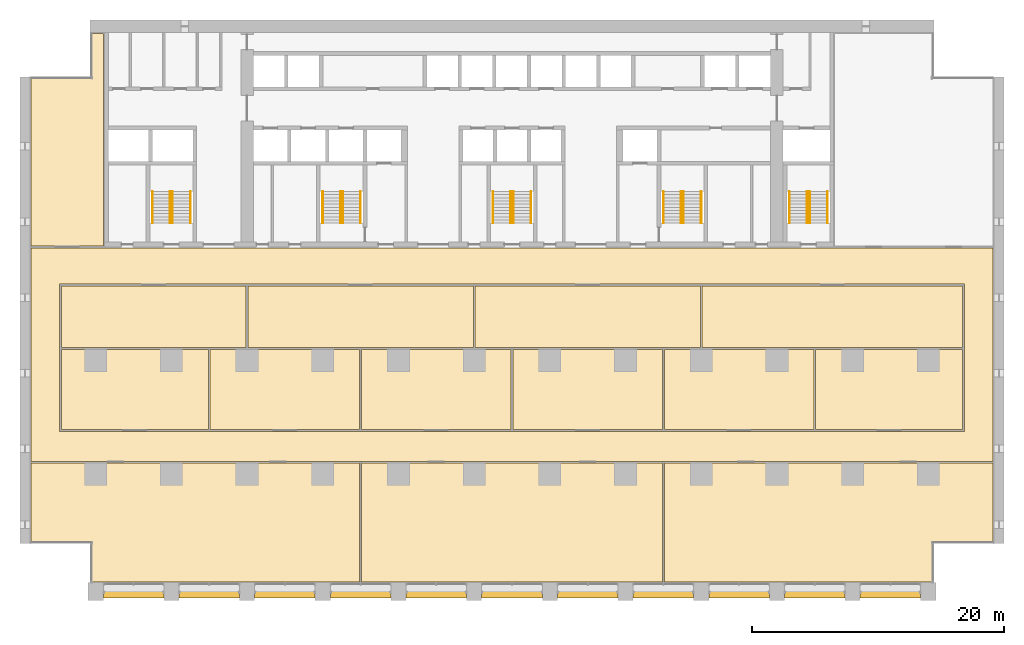
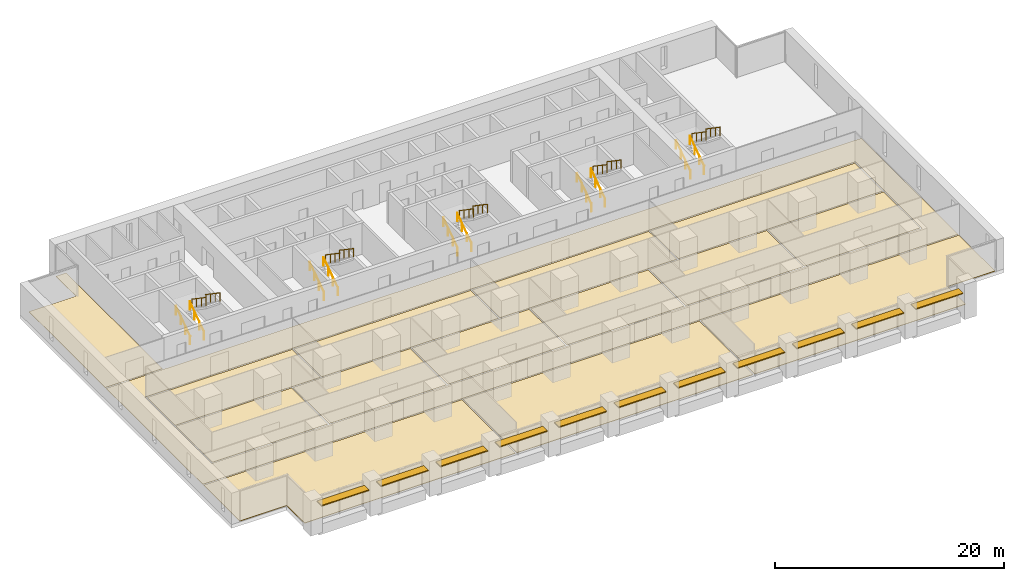
# One storey, part 17 of 18: 20 railings, 15 coverings, 11 shading devices, 5 elements without a shape of their own.
"""IFC4 building model written with IfcOpenShell, lengths in metres."""

from ifc_helpers import new_model, si_unit, direction, frame, origin, origin_2d, place, context, subcontext, project, spatial, polyline, rectangle, circle, outline, extrude, material, layer, layer_set, material_profile, profile_set, type_object, element, aggregate, save


model = new_model("IFC4")

# Units and contexts
model_context = context("Model", 3, precision=1e-05, world=origin(), true_north=direction((0.0, 1.0)))
body_context = subcontext(model_context, "Body", "Model", "MODEL_VIEW")
ifc_project = project(units=[si_unit("LENGTHUNIT", "METRE"), si_unit("AREAUNIT", "SQUARE_METRE"), si_unit("VOLUMEUNIT", "CUBIC_METRE"), si_unit("PLANEANGLEUNIT", "RADIAN"), si_unit("MASSUNIT", "GRAM", prefix="KILO")], contexts=[model_context])

# Site, building, storey
site_placement = place(None, origin())
site = spatial("IfcSite", under=ifc_project, at=site_placement, CompositionType="ELEMENT")
building_placement = place(site_placement, origin())
building = spatial("IfcBuilding", under=site, at=building_placement, Name="Calvaro Tower", CompositionType="ELEMENT")
storey_placement = place(building_placement, frame((0.0, 0.0, 30.0)))
storey = spatial("IfcBuildingStorey", under=building, at=storey_placement, Name="L06", CompositionType="ELEMENT", Elevation=30.0)

# Shading devices
ifc_material_1 = material(Name="Anodised aluminium", Category="aluminium")
ifc_material_profile = material_profile(ifc_material_1, rectangle(XDim=0.800048828125, YDim=0.10009765625, at=origin_2d()), Name="Brise-soleil blade 800 x 100")
ifc_profile_set = profile_set([ifc_material_profile], Name="Anodised aluminium")
shading_device_type = type_object("IfcShadingDeviceType", Name="Brise-soleil blade 800 x 100", PredefinedType="JALOUSIE", material=ifc_profile_set)
for number, where, z_axis, x_axis, name in (
    (1, (6.60009765625, 0.60009765625, 2.300048828125), (1.0, 0.0, 0.0), (0.0, 1.0, 0.0), "Brise-soleil blade 1"),
    (2, (12.60009765625, 0.60009765625, 2.300048828125), (1.0, 0.0, 0.0), (0.0, 1.0, 0.0), "Brise-soleil blade 2"),
    (3, (18.60009765625, 0.60009765625, 2.300048828125), (1.0, 0.0, 0.0), (0.0, 1.0, 0.0), "Brise-soleil blade 3"),
    (4, (24.60009765625, 0.60009765625, 2.300048828125), (1.0, 0.0, 0.0), (0.0, 1.0, 0.0), "Brise-soleil blade 4"),
    (5, (30.60009765625, 0.60009765625, 2.300048828125), (1.0, 0.0, 0.0), (0.0, 1.0, 0.0), "Brise-soleil blade 5"),
    (6, (36.60009765625, 0.60009765625, 2.300048828125), (1.0, 0.0, 0.0), (0.0, 1.0, 0.0), "Brise-soleil blade 6"),
    (7, (42.60009765625, 0.60009765625, 2.300048828125), (1.0, 0.0, 0.0), (0.0, 1.0, 0.0), "Brise-soleil blade 7"),
    (8, (48.60009765625, 0.60009765625, 2.300048828125), (1.0, 0.0, 0.0), (0.0, 1.0, 0.0), "Brise-soleil blade 8"),
    (9, (54.60009765625, 0.60009765625, 2.300048828125), (1.0, 0.0, 0.0), (0.0, 1.0, 0.0), "Brise-soleil blade 9"),
    (10, (60.60009765625, 0.60009765625, 2.300048828125), (1.0, 0.0, 0.0), (0.0, 1.0, 0.0), "Brise-soleil blade 10"),
    (11, (66.60009765625, 0.60009765625, 2.300048828125), (1.0, 0.0, 0.0), (0.0, 1.0, 0.0), "Brise-soleil blade 11"),
):
    element("IfcShadingDevice", number, at=place(storey_placement, frame(where, z_axis=z_axis, x_axis=x_axis)), inside=storey, type_object=shading_device_type, Name=name, PredefinedType="JALOUSIE", context=body_context, shape_type="SweptSolid", body=[
        extrude(rectangle(XDim=0.800048828125, YDim=0.10009765625, at=origin_2d()), origin(), (0.0, 0.0, 1.0), 4.7998046875),
    ])

# Coverings
ifc_material_2 = material(Name="Cement screed with carpet tile finish")
ifc_layer = layer(ifc_material_2, 0.050048828125)
ifc_layer_set = layer_set([ifc_layer], Name="Cement screed with carpet tile finish")
covering_type = type_object("IfcCoveringType", Name="Floor finish 50", PredefinedType="FLOORING", material=ifc_layer_set)
covering_1_placement = place(storey_placement, origin())
element("IfcCovering", 12, at=covering_1_placement, inside=storey, type_object=covering_type, Name="Floor finish 08.01", PredefinedType="FLOORING", context=body_context, shape_type="SweptSolid", body=[
    extrude(outline(polyline([(0.8701171875, 11.02001953125), (0.8701171875, 27.929931640625), (77.1298828125, 27.929931640625), (77.1298828125, 11.02001953125), (0.8701171875, 11.02001953125)]), holes=[polyline([(74.8701171875, 13.3798828125), (74.8701171875, 25.070068359375), (3.1298828125, 25.070068359375), (3.1298828125, 13.3798828125), (74.8701171875, 13.3798828125)])]), origin(), (0.0, 0.0, 1.0), 0.050048828125),
])
covering_2_placement = place(storey_placement, origin())
element("IfcCovering", 13, at=covering_2_placement, inside=storey, type_object=covering_type, Name="Floor finish 08.03", PredefinedType="FLOORING", context=body_context, shape_type="SweptSolid", body=[
    extrude(outline(polyline([(26.929931640625, 10.8798828125), (26.929931640625, 1.469970703125), (5.6201171875, 1.469970703125), (5.6201171875, 4.570068359375), (0.8701171875, 4.570068359375), (0.8701171875, 10.8798828125), (26.929931640625, 10.8798828125)])), origin(), (0.0, 0.0, 1.0), 0.050048828125),
])
covering_3_placement = place(storey_placement, origin())
element("IfcCovering", 14, at=covering_3_placement, inside=storey, type_object=covering_type, Name="Floor finish 08.02", PredefinedType="FLOORING", context=body_context, shape_type="SweptSolid", body=[
    extrude(outline(polyline([(27.070068359375, 10.8798828125), (50.929931640625, 10.8798828125), (50.929931640625, 1.469970703125), (27.070068359375, 1.469970703125), (27.070068359375, 10.8798828125)])), origin(), (0.0, 0.0, 1.0), 0.050048828125),
])
covering_4_placement = place(storey_placement, origin())
element("IfcCovering", 15, at=covering_4_placement, inside=storey, type_object=covering_type, Name="Floor finish 08.04", PredefinedType="FLOORING", context=body_context, shape_type="SweptSolid", body=[
    extrude(outline(polyline([(77.1298828125, 4.570068359375), (72.3798828125, 4.570068359375), (72.3798828125, 1.469970703125), (51.070068359375, 1.469970703125), (51.070068359375, 10.8798828125), (77.1298828125, 10.8798828125), (77.1298828125, 4.570068359375)])), origin(), (0.0, 0.0, 1.0), 0.050048828125),
])
covering_5_placement = place(storey_placement, origin())
element("IfcCovering", 16, at=covering_5_placement, inside=storey, type_object=covering_type, Name="Floor finish 08.05", PredefinedType="FLOORING", context=body_context, shape_type="SweptSolid", body=[
    extrude(outline(polyline([(3.27001953125, 13.52001953125), (3.27001953125, 19.8798828125), (14.929931640625, 19.8798828125), (14.929931640625, 13.52001953125), (3.27001953125, 13.52001953125)])), origin(), (0.0, 0.0, 1.0), 0.050048828125),
])
covering_6_placement = place(storey_placement, origin())
element("IfcCovering", 17, at=covering_6_placement, inside=storey, type_object=covering_type, Name="Floor finish 08.06", PredefinedType="FLOORING", context=body_context, shape_type="SweptSolid", body=[
    extrude(outline(polyline([(15.070068359375, 13.52001953125), (15.070068359375, 19.8798828125), (26.929931640625, 19.8798828125), (26.929931640625, 13.52001953125), (15.070068359375, 13.52001953125)])), origin(), (0.0, 0.0, 1.0), 0.050048828125),
])
covering_7_placement = place(storey_placement, origin())
element("IfcCovering", 18, at=covering_7_placement, inside=storey, type_object=covering_type, Name="Floor finish 08.07", PredefinedType="FLOORING", context=body_context, shape_type="SweptSolid", body=[
    extrude(outline(polyline([(27.070068359375, 13.52001953125), (27.070068359375, 19.8798828125), (38.929931640625, 19.8798828125), (38.929931640625, 13.52001953125), (27.070068359375, 13.52001953125)])), origin(), (0.0, 0.0, 1.0), 0.050048828125),
])
covering_8_placement = place(storey_placement, origin())
element("IfcCovering", 19, at=covering_8_placement, inside=storey, type_object=covering_type, Name="Floor finish 08.08", PredefinedType="FLOORING", context=body_context, shape_type="SweptSolid", body=[
    extrude(outline(polyline([(39.070068359375, 13.52001953125), (39.070068359375, 19.8798828125), (50.929931640625, 19.8798828125), (50.929931640625, 13.52001953125), (39.070068359375, 13.52001953125)])), origin(), (0.0, 0.0, 1.0), 0.050048828125),
])
covering_9_placement = place(storey_placement, origin())
element("IfcCovering", 20, at=covering_9_placement, inside=storey, type_object=covering_type, Name="Floor finish 08.09", PredefinedType="FLOORING", context=body_context, shape_type="SweptSolid", body=[
    extrude(outline(polyline([(51.070068359375, 13.52001953125), (51.070068359375, 19.8798828125), (62.929931640625, 19.8798828125), (62.929931640625, 13.52001953125), (51.070068359375, 13.52001953125)])), origin(), (0.0, 0.0, 1.0), 0.050048828125),
])
covering_10_placement = place(storey_placement, origin())
element("IfcCovering", 21, at=covering_10_placement, inside=storey, type_object=covering_type, Name="Floor finish 08.10", PredefinedType="FLOORING", context=body_context, shape_type="SweptSolid", body=[
    extrude(outline(polyline([(63.070068359375, 13.52001953125), (63.070068359375, 19.8798828125), (74.72998046875, 19.8798828125), (74.72998046875, 13.52001953125), (63.070068359375, 13.52001953125)])), origin(), (0.0, 0.0, 1.0), 0.050048828125),
])
covering_11_placement = place(storey_placement, origin())
element("IfcCovering", 22, at=covering_11_placement, inside=storey, type_object=covering_type, Name="Floor finish 08.11", PredefinedType="FLOORING", context=body_context, shape_type="SweptSolid", body=[
    extrude(outline(polyline([(3.27001953125, 20.02001953125), (3.27001953125, 24.929931640625), (17.929931640625, 24.929931640625), (17.929931640625, 20.02001953125), (3.27001953125, 20.02001953125)])), origin(), (0.0, 0.0, 1.0), 0.050048828125),
])
covering_12_placement = place(storey_placement, origin())
element("IfcCovering", 23, at=covering_12_placement, inside=storey, type_object=covering_type, Name="Floor finish 08.12", PredefinedType="FLOORING", context=body_context, shape_type="SweptSolid", body=[
    extrude(outline(polyline([(18.070068359375, 20.02001953125), (18.070068359375, 24.929931640625), (35.929931640625, 24.929931640625), (35.929931640625, 20.02001953125), (18.070068359375, 20.02001953125)])), origin(), (0.0, 0.0, 1.0), 0.050048828125),
])
covering_13_placement = place(storey_placement, origin())
element("IfcCovering", 24, at=covering_13_placement, inside=storey, type_object=covering_type, Name="Floor finish 08.13", PredefinedType="FLOORING", context=body_context, shape_type="SweptSolid", body=[
    extrude(outline(polyline([(36.070068359375, 20.02001953125), (36.070068359375, 24.929931640625), (53.929931640625, 24.929931640625), (53.929931640625, 20.02001953125), (36.070068359375, 20.02001953125)])), origin(), (0.0, 0.0, 1.0), 0.050048828125),
])
covering_14_placement = place(storey_placement, origin())
element("IfcCovering", 25, at=covering_14_placement, inside=storey, type_object=covering_type, Name="Floor finish 08.14", PredefinedType="FLOORING", context=body_context, shape_type="SweptSolid", body=[
    extrude(outline(polyline([(54.070068359375, 20.02001953125), (54.070068359375, 24.929931640625), (74.72998046875, 24.929931640625), (74.72998046875, 20.02001953125), (54.070068359375, 20.02001953125)])), origin(), (0.0, 0.0, 1.0), 0.050048828125),
])
covering_15_placement = place(storey_placement, origin())
element("IfcCovering", 26, at=covering_15_placement, inside=storey, type_object=covering_type, Name="Floor finish 08.15", PredefinedType="FLOORING", context=body_context, shape_type="SweptSolid", body=[
    extrude(outline(polyline([(6.6298828125, 28.070068359375), (0.8701171875, 28.070068359375), (0.8701171875, 41.429931640625), (5.6201171875, 41.429931640625), (5.6201171875, 44.929931640625), (6.6298828125, 44.929931640625), (6.6298828125, 28.070068359375)])), origin(), (0.0, 0.0, 1.0), 0.050048828125),
])

# Stair, railings
ifc_material_3 = material(Name="Concrete C40/50", Category="concrete")
stair_type = type_object("IfcStairType", Name="Exit stair 1400 2 flights", PredefinedType="HALF_TURN_STAIR", material=ifc_material_3)
stair_1_placement = place(storey_placement, origin())
stair_1 = element("IfcStair", 27, at=stair_1_placement, inside=storey, type_object=stair_type, Name="Exit stair S1", PredefinedType="HALF_TURN_STAIR")
ifc_material_4 = material(Name="Stainless steel", Category="steel")
railing_type = type_object("IfcRailingType", Name="Stair handrail", PredefinedType="HANDRAIL", material=ifc_material_4)
railing_1_placement = place(storey_placement, frame((11.89990234375, 29.89990234375, 0.17041015625)))
railing_1 = element("IfcRailing", 28, at=railing_1_placement, type_object=railing_type, Name="Exit stair 1 handrail", PredefinedType="HANDRAIL", context=body_context, shape_type="SweptSolid", body=[
    extrude(circle(Radius=0.02392578125, at=origin_2d()), frame((0.0, 0.0, 0.8759765625), z_axis=(0.0, 0.826220514629, 0.563346839174), x_axis=(-1.0, 0.0, 0.0)), (0.0, 0.0, 1.0), 3.02587890625),
    extrude(circle(Radius=0.02099609375, at=origin_2d()), frame((0.0, 0.017333984375, 0.01171875)), (0.0, 0.0, 1.0), 0.851806640625),
    extrude(circle(Radius=0.02099609375, at=origin_2d()), frame((0.0, 0.833251953125, 0.568115234375)), (0.0, 0.0, 1.0), 0.851806640625),
    extrude(circle(Radius=0.02099609375, at=origin_2d()), frame((0.0, 1.666748046875, 1.136474609375)), (0.0, 0.0, 1.0), 0.851806640625),
    extrude(circle(Radius=0.02099609375, at=origin_2d()), frame((0.0, 2.482666015625, 1.69287109375)), (0.0, 0.0, 1.0), 0.851806640625),
])
railing_2_placement = place(storey_placement, frame((10.5, 29.89990234375, 0.17041015625)))
railing_2 = element("IfcRailing", 29, at=railing_2_placement, type_object=railing_type, Name="Exit stair 1 handrail", PredefinedType="HANDRAIL", context=body_context, shape_type="SweptSolid", body=[
    extrude(circle(Radius=0.02392578125, at=origin_2d()), frame((0.0, 0.0, 0.8759765625), z_axis=(0.0, 0.826220514629, 0.563346839174), x_axis=(-1.0, 0.0, 0.0)), (0.0, 0.0, 1.0), 3.02587890625),
    extrude(circle(Radius=0.02099609375, at=origin_2d()), frame((0.0, 0.017333984375, 0.01171875)), (0.0, 0.0, 1.0), 0.851806640625),
    extrude(circle(Radius=0.02099609375, at=origin_2d()), frame((0.0, 0.833251953125, 0.568115234375)), (0.0, 0.0, 1.0), 0.851806640625),
    extrude(circle(Radius=0.02099609375, at=origin_2d()), frame((0.0, 1.666748046875, 1.136474609375)), (0.0, 0.0, 1.0), 0.851806640625),
    extrude(circle(Radius=0.02099609375, at=origin_2d()), frame((0.0, 2.482666015625, 1.69287109375)), (0.0, 0.0, 1.0), 0.851806640625),
])
railing_3_placement = place(storey_placement, frame((12.10009765625, 32.39990234375, 2.04541015625)))
railing_3 = element("IfcRailing", 30, at=railing_3_placement, type_object=railing_type, Name="Exit stair 1 handrail", PredefinedType="HANDRAIL", context=body_context, shape_type="SweptSolid", body=[
    extrude(circle(Radius=0.02392578125, at=origin_2d()), frame((0.0, 0.0, 0.8759765625), z_axis=(0.0, -0.826220514629, 0.563346839174), x_axis=(1.0, 0.0, 0.0)), (0.0, 0.0, 1.0), 3.02587890625),
    extrude(circle(Radius=0.02099609375, at=origin_2d()), frame((0.0, -0.017333984375, 0.01171875)), (0.0, 0.0, 1.0), 0.851806640625),
    extrude(circle(Radius=0.02099609375, at=origin_2d()), frame((0.0, -0.833251953125, 0.568115234375)), (0.0, 0.0, 1.0), 0.851806640625),
    extrude(circle(Radius=0.02099609375, at=origin_2d()), frame((0.0, -1.666748046875, 1.136474609375)), (0.0, 0.0, 1.0), 0.851806640625),
    extrude(circle(Radius=0.02099609375, at=origin_2d()), frame((0.0, -2.482666015625, 1.69287109375)), (0.0, 0.0, 1.0), 0.851806640625),
])
railing_4_placement = place(storey_placement, frame((13.5, 32.39990234375, 2.04541015625)))
railing_4 = element("IfcRailing", 31, at=railing_4_placement, type_object=railing_type, Name="Exit stair 1 handrail", PredefinedType="HANDRAIL", context=body_context, shape_type="SweptSolid", body=[
    extrude(circle(Radius=0.02392578125, at=origin_2d()), frame((0.0, 0.0, 0.8759765625), z_axis=(0.0, -0.826220514629, 0.563346839174), x_axis=(1.0, 0.0, 0.0)), (0.0, 0.0, 1.0), 3.02587890625),
    extrude(circle(Radius=0.02099609375, at=origin_2d()), frame((0.0, -0.017333984375, 0.01171875)), (0.0, 0.0, 1.0), 0.851806640625),
    extrude(circle(Radius=0.02099609375, at=origin_2d()), frame((0.0, -0.833251953125, 0.568115234375)), (0.0, 0.0, 1.0), 0.851806640625),
    extrude(circle(Radius=0.02099609375, at=origin_2d()), frame((0.0, -1.666748046875, 1.136474609375)), (0.0, 0.0, 1.0), 0.851806640625),
    extrude(circle(Radius=0.02099609375, at=origin_2d()), frame((0.0, -2.482666015625, 1.69287109375)), (0.0, 0.0, 1.0), 0.851806640625),
])
aggregate(stair_1, [railing_1, railing_2, railing_3, railing_4])

stair_2_placement = place(storey_placement, origin())
stair_2 = element("IfcStair", 32, at=stair_2_placement, inside=storey, type_object=stair_type, Name="Exit stair S2", PredefinedType="HALF_TURN_STAIR")
railing_5_placement = place(storey_placement, frame((25.39990234375, 29.89990234375, 0.17041015625)))
railing_5 = element("IfcRailing", 33, at=railing_5_placement, type_object=railing_type, Name="Exit stair 2 handrail", PredefinedType="HANDRAIL", context=body_context, shape_type="SweptSolid", body=[
    extrude(circle(Radius=0.02392578125, at=origin_2d()), frame((0.0, 0.0, 0.8759765625), z_axis=(0.0, 0.826220514629, 0.563346839174), x_axis=(-1.0, 0.0, 0.0)), (0.0, 0.0, 1.0), 3.02587890625),
    extrude(circle(Radius=0.02099609375, at=origin_2d()), frame((0.0, 0.017333984375, 0.01171875)), (0.0, 0.0, 1.0), 0.851806640625),
    extrude(circle(Radius=0.02099609375, at=origin_2d()), frame((0.0, 0.833251953125, 0.568115234375)), (0.0, 0.0, 1.0), 0.851806640625),
    extrude(circle(Radius=0.02099609375, at=origin_2d()), frame((0.0, 1.666748046875, 1.136474609375)), (0.0, 0.0, 1.0), 0.851806640625),
    extrude(circle(Radius=0.02099609375, at=origin_2d()), frame((0.0, 2.482666015625, 1.69287109375)), (0.0, 0.0, 1.0), 0.851806640625),
])
railing_6_placement = place(storey_placement, frame((24.0, 29.89990234375, 0.17041015625)))
railing_6 = element("IfcRailing", 34, at=railing_6_placement, type_object=railing_type, Name="Exit stair 2 handrail", PredefinedType="HANDRAIL", context=body_context, shape_type="SweptSolid", body=[
    extrude(circle(Radius=0.02392578125, at=origin_2d()), frame((0.0, 0.0, 0.8759765625), z_axis=(0.0, 0.826220514629, 0.563346839174), x_axis=(-1.0, 0.0, 0.0)), (0.0, 0.0, 1.0), 3.02587890625),
    extrude(circle(Radius=0.02099609375, at=origin_2d()), frame((0.0, 0.017333984375, 0.01171875)), (0.0, 0.0, 1.0), 0.851806640625),
    extrude(circle(Radius=0.02099609375, at=origin_2d()), frame((0.0, 0.833251953125, 0.568115234375)), (0.0, 0.0, 1.0), 0.851806640625),
    extrude(circle(Radius=0.02099609375, at=origin_2d()), frame((0.0, 1.666748046875, 1.136474609375)), (0.0, 0.0, 1.0), 0.851806640625),
    extrude(circle(Radius=0.02099609375, at=origin_2d()), frame((0.0, 2.482666015625, 1.69287109375)), (0.0, 0.0, 1.0), 0.851806640625),
])
railing_7_placement = place(storey_placement, frame((25.60009765625, 32.39990234375, 2.04541015625)))
railing_7 = element("IfcRailing", 35, at=railing_7_placement, type_object=railing_type, Name="Exit stair 2 handrail", PredefinedType="HANDRAIL", context=body_context, shape_type="SweptSolid", body=[
    extrude(circle(Radius=0.02392578125, at=origin_2d()), frame((0.0, 0.0, 0.8759765625), z_axis=(0.0, -0.826220514629, 0.563346839174), x_axis=(1.0, 0.0, 0.0)), (0.0, 0.0, 1.0), 3.02587890625),
    extrude(circle(Radius=0.02099609375, at=origin_2d()), frame((0.0, -0.017333984375, 0.01171875)), (0.0, 0.0, 1.0), 0.851806640625),
    extrude(circle(Radius=0.02099609375, at=origin_2d()), frame((0.0, -0.833251953125, 0.568115234375)), (0.0, 0.0, 1.0), 0.851806640625),
    extrude(circle(Radius=0.02099609375, at=origin_2d()), frame((0.0, -1.666748046875, 1.136474609375)), (0.0, 0.0, 1.0), 0.851806640625),
    extrude(circle(Radius=0.02099609375, at=origin_2d()), frame((0.0, -2.482666015625, 1.69287109375)), (0.0, 0.0, 1.0), 0.851806640625),
])
railing_8_placement = place(storey_placement, frame((27.0, 32.39990234375, 2.04541015625)))
railing_8 = element("IfcRailing", 36, at=railing_8_placement, type_object=railing_type, Name="Exit stair 2 handrail", PredefinedType="HANDRAIL", context=body_context, shape_type="SweptSolid", body=[
    extrude(circle(Radius=0.02392578125, at=origin_2d()), frame((0.0, 0.0, 0.8759765625), z_axis=(0.0, -0.826220514629, 0.563346839174), x_axis=(1.0, 0.0, 0.0)), (0.0, 0.0, 1.0), 3.02587890625),
    extrude(circle(Radius=0.02099609375, at=origin_2d()), frame((0.0, -0.017333984375, 0.01171875)), (0.0, 0.0, 1.0), 0.851806640625),
    extrude(circle(Radius=0.02099609375, at=origin_2d()), frame((0.0, -0.833251953125, 0.568115234375)), (0.0, 0.0, 1.0), 0.851806640625),
    extrude(circle(Radius=0.02099609375, at=origin_2d()), frame((0.0, -1.666748046875, 1.136474609375)), (0.0, 0.0, 1.0), 0.851806640625),
    extrude(circle(Radius=0.02099609375, at=origin_2d()), frame((0.0, -2.482666015625, 1.69287109375)), (0.0, 0.0, 1.0), 0.851806640625),
])
aggregate(stair_2, [railing_5, railing_6, railing_7, railing_8])

stair_3_placement = place(storey_placement, origin())
stair_3 = element("IfcStair", 37, at=stair_3_placement, inside=storey, type_object=stair_type, Name="Exit stair S3", PredefinedType="HALF_TURN_STAIR")
railing_9_placement = place(storey_placement, frame((38.89990234375, 29.89990234375, 0.17041015625)))
railing_9 = element("IfcRailing", 38, at=railing_9_placement, type_object=railing_type, Name="Exit stair 3 handrail", PredefinedType="HANDRAIL", context=body_context, shape_type="SweptSolid", body=[
    extrude(circle(Radius=0.02392578125, at=origin_2d()), frame((0.0, 0.0, 0.8759765625), z_axis=(0.0, 0.826220514629, 0.563346839174), x_axis=(-1.0, 0.0, 0.0)), (0.0, 0.0, 1.0), 3.02587890625),
    extrude(circle(Radius=0.02099609375, at=origin_2d()), frame((0.0, 0.017333984375, 0.01171875)), (0.0, 0.0, 1.0), 0.851806640625),
    extrude(circle(Radius=0.02099609375, at=origin_2d()), frame((0.0, 0.833251953125, 0.568115234375)), (0.0, 0.0, 1.0), 0.851806640625),
    extrude(circle(Radius=0.02099609375, at=origin_2d()), frame((0.0, 1.666748046875, 1.136474609375)), (0.0, 0.0, 1.0), 0.851806640625),
    extrude(circle(Radius=0.02099609375, at=origin_2d()), frame((0.0, 2.482666015625, 1.69287109375)), (0.0, 0.0, 1.0), 0.851806640625),
])
railing_10_placement = place(storey_placement, frame((37.5, 29.89990234375, 0.17041015625)))
railing_10 = element("IfcRailing", 39, at=railing_10_placement, type_object=railing_type, Name="Exit stair 3 handrail", PredefinedType="HANDRAIL", context=body_context, shape_type="SweptSolid", body=[
    extrude(circle(Radius=0.02392578125, at=origin_2d()), frame((0.0, 0.0, 0.8759765625), z_axis=(0.0, 0.826220514629, 0.563346839174), x_axis=(-1.0, 0.0, 0.0)), (0.0, 0.0, 1.0), 3.02587890625),
    extrude(circle(Radius=0.02099609375, at=origin_2d()), frame((0.0, 0.017333984375, 0.01171875)), (0.0, 0.0, 1.0), 0.851806640625),
    extrude(circle(Radius=0.02099609375, at=origin_2d()), frame((0.0, 0.833251953125, 0.568115234375)), (0.0, 0.0, 1.0), 0.851806640625),
    extrude(circle(Radius=0.02099609375, at=origin_2d()), frame((0.0, 1.666748046875, 1.136474609375)), (0.0, 0.0, 1.0), 0.851806640625),
    extrude(circle(Radius=0.02099609375, at=origin_2d()), frame((0.0, 2.482666015625, 1.69287109375)), (0.0, 0.0, 1.0), 0.851806640625),
])
railing_11_placement = place(storey_placement, frame((39.10009765625, 32.39990234375, 2.04541015625)))
railing_11 = element("IfcRailing", 40, at=railing_11_placement, type_object=railing_type, Name="Exit stair 3 handrail", PredefinedType="HANDRAIL", context=body_context, shape_type="SweptSolid", body=[
    extrude(circle(Radius=0.02392578125, at=origin_2d()), frame((0.0, 0.0, 0.8759765625), z_axis=(0.0, -0.826220514629, 0.563346839174), x_axis=(1.0, 0.0, 0.0)), (0.0, 0.0, 1.0), 3.02587890625),
    extrude(circle(Radius=0.02099609375, at=origin_2d()), frame((0.0, -0.017333984375, 0.01171875)), (0.0, 0.0, 1.0), 0.851806640625),
    extrude(circle(Radius=0.02099609375, at=origin_2d()), frame((0.0, -0.833251953125, 0.568115234375)), (0.0, 0.0, 1.0), 0.851806640625),
    extrude(circle(Radius=0.02099609375, at=origin_2d()), frame((0.0, -1.666748046875, 1.136474609375)), (0.0, 0.0, 1.0), 0.851806640625),
    extrude(circle(Radius=0.02099609375, at=origin_2d()), frame((0.0, -2.482666015625, 1.69287109375)), (0.0, 0.0, 1.0), 0.851806640625),
])
railing_12_placement = place(storey_placement, frame((40.5, 32.39990234375, 2.04541015625)))
railing_12 = element("IfcRailing", 41, at=railing_12_placement, type_object=railing_type, Name="Exit stair 3 handrail", PredefinedType="HANDRAIL", context=body_context, shape_type="SweptSolid", body=[
    extrude(circle(Radius=0.02392578125, at=origin_2d()), frame((0.0, 0.0, 0.8759765625), z_axis=(0.0, -0.826220514629, 0.563346839174), x_axis=(1.0, 0.0, 0.0)), (0.0, 0.0, 1.0), 3.02587890625),
    extrude(circle(Radius=0.02099609375, at=origin_2d()), frame((0.0, -0.017333984375, 0.01171875)), (0.0, 0.0, 1.0), 0.851806640625),
    extrude(circle(Radius=0.02099609375, at=origin_2d()), frame((0.0, -0.833251953125, 0.568115234375)), (0.0, 0.0, 1.0), 0.851806640625),
    extrude(circle(Radius=0.02099609375, at=origin_2d()), frame((0.0, -1.666748046875, 1.136474609375)), (0.0, 0.0, 1.0), 0.851806640625),
    extrude(circle(Radius=0.02099609375, at=origin_2d()), frame((0.0, -2.482666015625, 1.69287109375)), (0.0, 0.0, 1.0), 0.851806640625),
])
aggregate(stair_3, [railing_9, railing_10, railing_11, railing_12])

stair_4_placement = place(storey_placement, origin())
stair_4 = element("IfcStair", 42, at=stair_4_placement, inside=storey, type_object=stair_type, Name="Exit stair S4", PredefinedType="HALF_TURN_STAIR")
railing_13_placement = place(storey_placement, frame((52.39990234375, 29.89990234375, 0.17041015625)))
railing_13 = element("IfcRailing", 43, at=railing_13_placement, type_object=railing_type, Name="Exit stair 4 handrail", PredefinedType="HANDRAIL", context=body_context, shape_type="SweptSolid", body=[
    extrude(circle(Radius=0.02392578125, at=origin_2d()), frame((0.0, 0.0, 0.8759765625), z_axis=(0.0, 0.826220514629, 0.563346839174), x_axis=(-1.0, 0.0, 0.0)), (0.0, 0.0, 1.0), 3.02587890625),
    extrude(circle(Radius=0.02099609375, at=origin_2d()), frame((0.0, 0.017333984375, 0.01171875)), (0.0, 0.0, 1.0), 0.851806640625),
    extrude(circle(Radius=0.02099609375, at=origin_2d()), frame((0.0, 0.833251953125, 0.568115234375)), (0.0, 0.0, 1.0), 0.851806640625),
    extrude(circle(Radius=0.02099609375, at=origin_2d()), frame((0.0, 1.666748046875, 1.136474609375)), (0.0, 0.0, 1.0), 0.851806640625),
    extrude(circle(Radius=0.02099609375, at=origin_2d()), frame((0.0, 2.482666015625, 1.69287109375)), (0.0, 0.0, 1.0), 0.851806640625),
])
railing_14_placement = place(storey_placement, frame((51.0, 29.89990234375, 0.17041015625)))
railing_14 = element("IfcRailing", 44, at=railing_14_placement, type_object=railing_type, Name="Exit stair 4 handrail", PredefinedType="HANDRAIL", context=body_context, shape_type="SweptSolid", body=[
    extrude(circle(Radius=0.02392578125, at=origin_2d()), frame((0.0, 0.0, 0.8759765625), z_axis=(0.0, 0.826220514629, 0.563346839174), x_axis=(-1.0, 0.0, 0.0)), (0.0, 0.0, 1.0), 3.02587890625),
    extrude(circle(Radius=0.02099609375, at=origin_2d()), frame((0.0, 0.017333984375, 0.01171875)), (0.0, 0.0, 1.0), 0.851806640625),
    extrude(circle(Radius=0.02099609375, at=origin_2d()), frame((0.0, 0.833251953125, 0.568115234375)), (0.0, 0.0, 1.0), 0.851806640625),
    extrude(circle(Radius=0.02099609375, at=origin_2d()), frame((0.0, 1.666748046875, 1.136474609375)), (0.0, 0.0, 1.0), 0.851806640625),
    extrude(circle(Radius=0.02099609375, at=origin_2d()), frame((0.0, 2.482666015625, 1.69287109375)), (0.0, 0.0, 1.0), 0.851806640625),
])
railing_15_placement = place(storey_placement, frame((52.60009765625, 32.39990234375, 2.04541015625)))
railing_15 = element("IfcRailing", 45, at=railing_15_placement, type_object=railing_type, Name="Exit stair 4 handrail", PredefinedType="HANDRAIL", context=body_context, shape_type="SweptSolid", body=[
    extrude(circle(Radius=0.02392578125, at=origin_2d()), frame((0.0, 0.0, 0.8759765625), z_axis=(0.0, -0.826220514629, 0.563346839174), x_axis=(1.0, 0.0, 0.0)), (0.0, 0.0, 1.0), 3.02587890625),
    extrude(circle(Radius=0.02099609375, at=origin_2d()), frame((0.0, -0.017333984375, 0.01171875)), (0.0, 0.0, 1.0), 0.851806640625),
    extrude(circle(Radius=0.02099609375, at=origin_2d()), frame((0.0, -0.833251953125, 0.568115234375)), (0.0, 0.0, 1.0), 0.851806640625),
    extrude(circle(Radius=0.02099609375, at=origin_2d()), frame((0.0, -1.666748046875, 1.136474609375)), (0.0, 0.0, 1.0), 0.851806640625),
    extrude(circle(Radius=0.02099609375, at=origin_2d()), frame((0.0, -2.482666015625, 1.69287109375)), (0.0, 0.0, 1.0), 0.851806640625),
])
railing_16_placement = place(storey_placement, frame((54.0, 32.39990234375, 2.04541015625)))
railing_16 = element("IfcRailing", 46, at=railing_16_placement, type_object=railing_type, Name="Exit stair 4 handrail", PredefinedType="HANDRAIL", context=body_context, shape_type="SweptSolid", body=[
    extrude(circle(Radius=0.02392578125, at=origin_2d()), frame((0.0, 0.0, 0.8759765625), z_axis=(0.0, -0.826220514629, 0.563346839174), x_axis=(1.0, 0.0, 0.0)), (0.0, 0.0, 1.0), 3.02587890625),
    extrude(circle(Radius=0.02099609375, at=origin_2d()), frame((0.0, -0.017333984375, 0.01171875)), (0.0, 0.0, 1.0), 0.851806640625),
    extrude(circle(Radius=0.02099609375, at=origin_2d()), frame((0.0, -0.833251953125, 0.568115234375)), (0.0, 0.0, 1.0), 0.851806640625),
    extrude(circle(Radius=0.02099609375, at=origin_2d()), frame((0.0, -1.666748046875, 1.136474609375)), (0.0, 0.0, 1.0), 0.851806640625),
    extrude(circle(Radius=0.02099609375, at=origin_2d()), frame((0.0, -2.482666015625, 1.69287109375)), (0.0, 0.0, 1.0), 0.851806640625),
])
aggregate(stair_4, [railing_13, railing_14, railing_15, railing_16])

stair_5_placement = place(storey_placement, origin())
stair_5 = element("IfcStair", 47, at=stair_5_placement, inside=storey, type_object=stair_type, Name="Exit stair S5", PredefinedType="HALF_TURN_STAIR")
railing_17_placement = place(storey_placement, frame((62.39990234375, 29.89990234375, 0.17041015625)))
railing_17 = element("IfcRailing", 48, at=railing_17_placement, type_object=railing_type, Name="Exit stair 5 handrail", PredefinedType="HANDRAIL", context=body_context, shape_type="SweptSolid", body=[
    extrude(circle(Radius=0.02392578125, at=origin_2d()), frame((0.0, 0.0, 0.8759765625), z_axis=(0.0, 0.826220514629, 0.563346839174), x_axis=(-1.0, 0.0, 0.0)), (0.0, 0.0, 1.0), 3.02587890625),
    extrude(circle(Radius=0.02099609375, at=origin_2d()), frame((0.0, 0.017333984375, 0.01171875)), (0.0, 0.0, 1.0), 0.851806640625),
    extrude(circle(Radius=0.02099609375, at=origin_2d()), frame((0.0, 0.833251953125, 0.568115234375)), (0.0, 0.0, 1.0), 0.851806640625),
    extrude(circle(Radius=0.02099609375, at=origin_2d()), frame((0.0, 1.666748046875, 1.136474609375)), (0.0, 0.0, 1.0), 0.851806640625),
    extrude(circle(Radius=0.02099609375, at=origin_2d()), frame((0.0, 2.482666015625, 1.69287109375)), (0.0, 0.0, 1.0), 0.851806640625),
])
railing_18_placement = place(storey_placement, frame((61.0, 29.89990234375, 0.17041015625)))
railing_18 = element("IfcRailing", 49, at=railing_18_placement, type_object=railing_type, Name="Exit stair 5 handrail", PredefinedType="HANDRAIL", context=body_context, shape_type="SweptSolid", body=[
    extrude(circle(Radius=0.02392578125, at=origin_2d()), frame((0.0, 0.0, 0.8759765625), z_axis=(0.0, 0.826220514629, 0.563346839174), x_axis=(-1.0, 0.0, 0.0)), (0.0, 0.0, 1.0), 3.02587890625),
    extrude(circle(Radius=0.02099609375, at=origin_2d()), frame((0.0, 0.017333984375, 0.01171875)), (0.0, 0.0, 1.0), 0.851806640625),
    extrude(circle(Radius=0.02099609375, at=origin_2d()), frame((0.0, 0.833251953125, 0.568115234375)), (0.0, 0.0, 1.0), 0.851806640625),
    extrude(circle(Radius=0.02099609375, at=origin_2d()), frame((0.0, 1.666748046875, 1.136474609375)), (0.0, 0.0, 1.0), 0.851806640625),
    extrude(circle(Radius=0.02099609375, at=origin_2d()), frame((0.0, 2.482666015625, 1.69287109375)), (0.0, 0.0, 1.0), 0.851806640625),
])
railing_19_placement = place(storey_placement, frame((62.60009765625, 32.39990234375, 2.04541015625)))
railing_19 = element("IfcRailing", 50, at=railing_19_placement, type_object=railing_type, Name="Exit stair 5 handrail", PredefinedType="HANDRAIL", context=body_context, shape_type="SweptSolid", body=[
    extrude(circle(Radius=0.02392578125, at=origin_2d()), frame((0.0, 0.0, 0.8759765625), z_axis=(0.0, -0.826220514629, 0.563346839174), x_axis=(1.0, 0.0, 0.0)), (0.0, 0.0, 1.0), 3.02587890625),
    extrude(circle(Radius=0.02099609375, at=origin_2d()), frame((0.0, -0.017333984375, 0.01171875)), (0.0, 0.0, 1.0), 0.851806640625),
    extrude(circle(Radius=0.02099609375, at=origin_2d()), frame((0.0, -0.833251953125, 0.568115234375)), (0.0, 0.0, 1.0), 0.851806640625),
    extrude(circle(Radius=0.02099609375, at=origin_2d()), frame((0.0, -1.666748046875, 1.136474609375)), (0.0, 0.0, 1.0), 0.851806640625),
    extrude(circle(Radius=0.02099609375, at=origin_2d()), frame((0.0, -2.482666015625, 1.69287109375)), (0.0, 0.0, 1.0), 0.851806640625),
])
railing_20_placement = place(storey_placement, frame((64.0, 32.39990234375, 2.04541015625)))
railing_20 = element("IfcRailing", 51, at=railing_20_placement, type_object=railing_type, Name="Exit stair 5 handrail", PredefinedType="HANDRAIL", context=body_context, shape_type="SweptSolid", body=[
    extrude(circle(Radius=0.02392578125, at=origin_2d()), frame((0.0, 0.0, 0.8759765625), z_axis=(0.0, -0.826220514629, 0.563346839174), x_axis=(1.0, 0.0, 0.0)), (0.0, 0.0, 1.0), 3.02587890625),
    extrude(circle(Radius=0.02099609375, at=origin_2d()), frame((0.0, -0.017333984375, 0.01171875)), (0.0, 0.0, 1.0), 0.851806640625),
    extrude(circle(Radius=0.02099609375, at=origin_2d()), frame((0.0, -0.833251953125, 0.568115234375)), (0.0, 0.0, 1.0), 0.851806640625),
    extrude(circle(Radius=0.02099609375, at=origin_2d()), frame((0.0, -1.666748046875, 1.136474609375)), (0.0, 0.0, 1.0), 0.851806640625),
    extrude(circle(Radius=0.02099609375, at=origin_2d()), frame((0.0, -2.482666015625, 1.69287109375)), (0.0, 0.0, 1.0), 0.851806640625),
])
aggregate(stair_5, [railing_17, railing_18, railing_19, railing_20])

save(model, "model.ifc")
